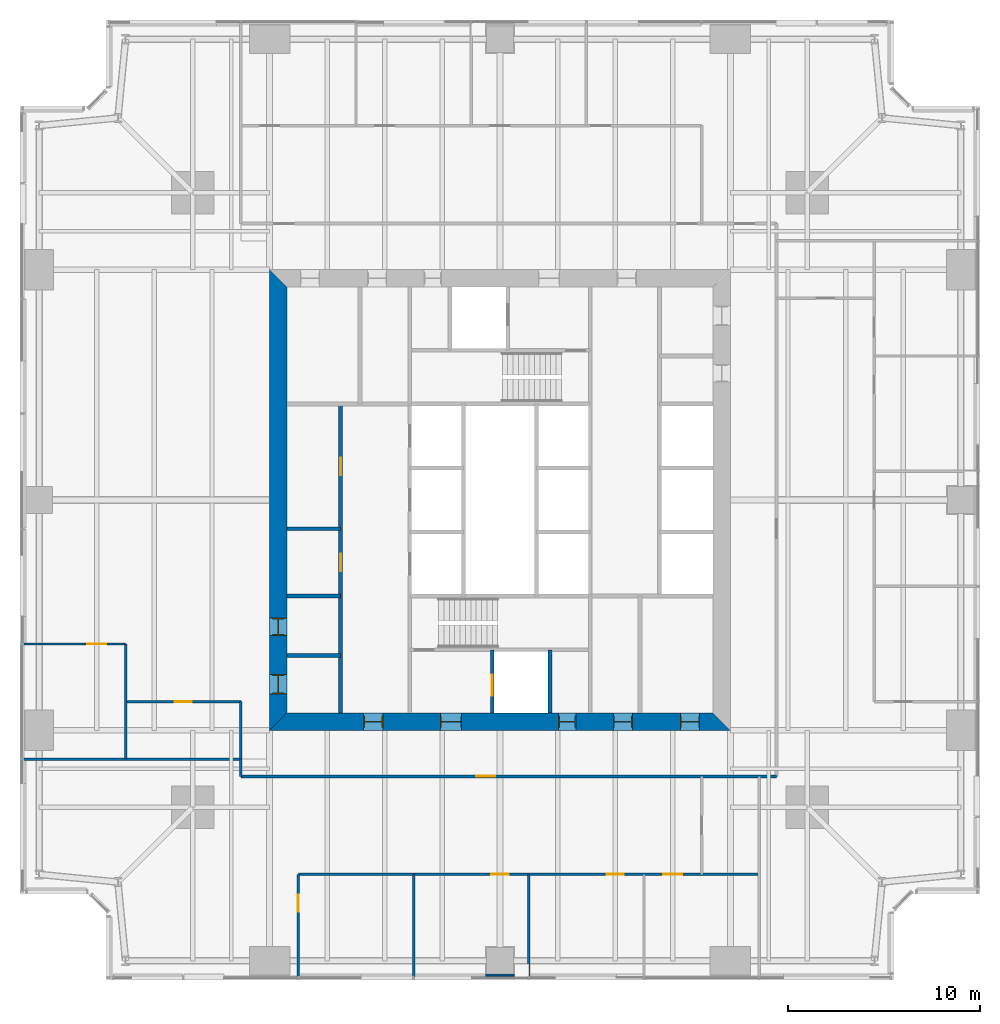
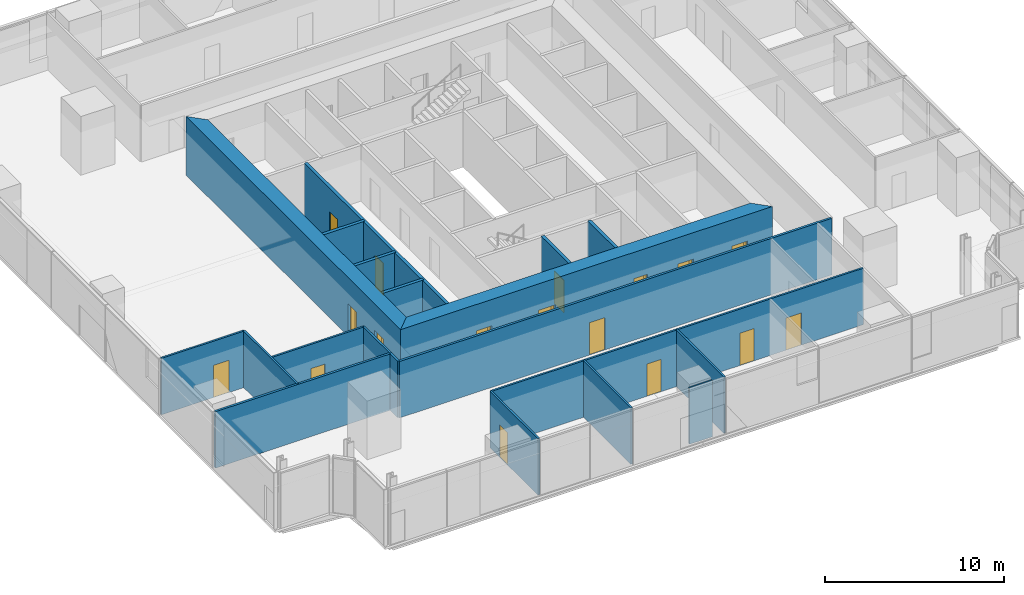
# One storey, part 9 of 13: 20 walls, 17 doors, 17 openings.
"""IFC4 building model written with IfcOpenShell, lengths in metres."""

from ifc_helpers import new_model, si_unit, direction, frame, frame_2d, origin, place, context, subcontext, project, spatial, polyline, rectangle, outline, extrude, material, layer, layer_set, type_object, element, fill, save


model = new_model("IFC4")

# Units and contexts
model_context = context("Model", 3, precision=1e-05, world=origin(), true_north=direction((0.0, 1.0)))
body_context = subcontext(model_context, "Body", "Model", "MODEL_VIEW")
ifc_project = project(units=[si_unit("LENGTHUNIT", "METRE"), si_unit("AREAUNIT", "SQUARE_METRE"), si_unit("VOLUMEUNIT", "CUBIC_METRE"), si_unit("PLANEANGLEUNIT", "RADIAN"), si_unit("MASSUNIT", "GRAM", prefix="KILO")], contexts=[model_context])

# Site, building, storey
site_placement = place(None, origin())
site = spatial("IfcSite", under=ifc_project, at=site_placement, CompositionType="ELEMENT")
building_placement = place(site_placement, origin())
building = spatial("IfcBuilding", under=site, at=building_placement, Name="Fenwick Lantern Interchange", CompositionType="ELEMENT")
storey_placement = place(building_placement, frame((0.0, 0.0, 106.39990234375)))
storey = spatial("IfcBuildingStorey", under=building, at=storey_placement, Name="L24", CompositionType="ELEMENT", Elevation=106.39990234375)

# Wall
ifc_material_1 = material(Name="Fire-rated gypsum board encasement on steel studs, 2 hour", Category="steel")
ifc_layer_1 = layer(ifc_material_1, 1.5)
ifc_layer_set_1 = layer_set([ifc_layer_1], Name="COLUMN PIER 1500")
wall_type_1 = type_object("IfcWallType", Name="COLUMN PIER 1500", PredefinedType="PARTITIONING", material=ifc_layer_set_1)
wall_1_placement = place(storey_placement, frame((25.0, 0.199951171875, 0.0), z_axis=(0.0, 0.0, 1.0), x_axis=(0.0, 1.0, 0.0)))
element("IfcWall", 1, at=wall_1_placement, inside=storey, type_object=wall_type_1, Name="L24/W/PIER/CS3", PredefinedType="PARTITIONING", context=body_context, shape_type="SweptSolid", body=[
    extrude(rectangle(XDim=0.10009765625, YDim=1.5, at=frame_2d((0.050048828125, 0.0))), origin(), (0.0, 0.0, 1.0), 3.85009765625),
])

# Wall, openings, doors
ifc_material_2 = material(Name="Concrete masonry ASTM C90 Grade N", Category="masonry")
ifc_layer_2 = layer(ifc_material_2, 0.199951171875)
ifc_layer_set_2 = layer_set([ifc_layer_2], Name="Concrete masonry ASTM C90 Grade N")
wall_type_2 = type_object("IfcWallType", Name="CORE PARTITION 200", PredefinedType="PARTITIONING", material=ifc_layer_set_2)
wall_2_placement = place(storey_placement, frame((16.699951171875, 13.89990234375, 0.0), z_axis=(0.0, 0.0, 1.0), x_axis=(0.0, 1.0, 0.0)))
wall_2 = element("IfcWall", 2, at=wall_2_placement, inside=storey, type_object=wall_type_2, Name="L24/W/CORES/a", PredefinedType="PARTITIONING", context=body_context, shape_type="SweptSolid", body=[
    extrude(rectangle(XDim=16.10009765625, YDim=0.199951171875, at=frame_2d((8.050048828125, 0.0))), origin(), (0.0, 0.0, 1.0), 3.800048828125),
])
opening_1_placement = place(wall_2_placement, frame((7.39990234375, 0.0, 0.0)))
opening_1 = element("IfcOpeningElement", 3, at=opening_1_placement, cuts=wall_2, Name="Opening L24-D009", PredefinedType="OPENING", context=body_context, shape_type="SweptSolid", body=[
    extrude(rectangle(XDim=0.89990234375, YDim=2.199951171875, at=frame_2d((0.449951171875, 1.10009765625))), frame((0.0, 0.10986328125, 0.0), z_axis=(0.0, -1.0, 0.0), x_axis=(1.0, 0.0, 0.0)), (0.0, 0.0, 1.0), 0.219970703125),
])
opening_2_placement = place(wall_2_placement, frame((12.39990234375, 0.0, 0.0)))
opening_2 = element("IfcOpeningElement", 4, at=opening_2_placement, cuts=wall_2, Name="Opening L24-D010", PredefinedType="OPENING", context=body_context, shape_type="SweptSolid", body=[
    extrude(rectangle(XDim=0.89990234375, YDim=2.199951171875, at=frame_2d((0.449951171875, 1.10009765625))), frame((0.0, 0.10986328125, 0.0), z_axis=(0.0, -1.0, 0.0), x_axis=(1.0, 0.0, 0.0)), (0.0, 0.0, 1.0), 0.219970703125),
])
ifc_material_3 = material(Name="Steel door and frame", Category="steel")
door_type_1 = type_object("IfcDoorType", Name="SERVICE DOOR 900 X 2200", OperationType="SINGLE_SWING_LEFT", PredefinedType="DOOR", material=ifc_material_3)
door_1_placement = place(opening_1_placement, origin())
door_1 = element("IfcDoor", 5, at=door_1_placement, inside=storey, type_object=door_type_1, Name="Service door", OperationType="SINGLE_SWING_LEFT", OverallHeight=2.199951171875, OverallWidth=0.89990234375, PredefinedType="DOOR", context=body_context, shape_type="SweptSolid", body=[
    extrude(rectangle(XDim=0.89990234375, YDim=2.199951171875, at=frame_2d((0.449951171875, 1.10009765625))), frame((0.0, 0.02490234375, 0.0), z_axis=(0.0, -1.0, 0.0), x_axis=(1.0, 0.0, 0.0)), (0.0, 0.0, 1.0), 0.050048828125),
])
fill(opening_1, door_1)
door_2_placement = place(opening_2_placement, origin())
door_2 = element("IfcDoor", 6, at=door_2_placement, inside=storey, type_object=door_type_1, Name="Service door", OperationType="SINGLE_SWING_LEFT", OverallHeight=2.199951171875, OverallWidth=0.89990234375, PredefinedType="DOOR", context=body_context, shape_type="SweptSolid", body=[
    extrude(rectangle(XDim=0.89990234375, YDim=2.199951171875, at=frame_2d((0.449951171875, 1.10009765625))), frame((0.0, 0.02490234375, 0.0), z_axis=(0.0, -1.0, 0.0), x_axis=(1.0, 0.0, 0.0)), (0.0, 0.0, 1.0), 0.050048828125),
])
fill(opening_2, door_2)

# Wall, opening, door
wall_3_placement = place(storey_placement, frame((24.60009765625, 13.89990234375, 0.0), z_axis=(0.0, 0.0, 1.0), x_axis=(0.0, 1.0, 0.0)))
wall_3 = element("IfcWall", 7, at=wall_3_placement, inside=storey, type_object=wall_type_2, Name="L24/W/CORES/h1", PredefinedType="PARTITIONING", context=body_context, shape_type="SweptSolid", body=[
    extrude(rectangle(XDim=3.300048828125, YDim=0.199951171875, at=frame_2d((1.64990234375, 0.0))), origin(), (0.0, 0.0, 1.0), 3.800048828125),
])
opening_3_placement = place(wall_3_placement, frame((0.89990234375, 0.0, 0.0)))
opening_3 = element("IfcOpeningElement", 8, at=opening_3_placement, cuts=wall_3, Name="Opening LD-FL1", PredefinedType="OPENING", context=body_context, shape_type="SweptSolid", body=[
    extrude(rectangle(XDim=1.10009765625, YDim=2.199951171875, at=frame_2d((0.550048828125, 1.10009765625))), frame((0.0, 0.10986328125, 0.0), z_axis=(0.0, -1.0, 0.0), x_axis=(1.0, 0.0, 0.0)), (0.0, 0.0, 1.0), 0.219970703125),
])
door_type_2 = type_object("IfcDoorType", Name="LIFT LANDING DOOR 1100 X 2200", OperationType="DOUBLE_DOOR_SLIDING", PredefinedType="DOOR", material=ifc_material_3)
door_3_placement = place(opening_3_placement, origin())
door_3 = element("IfcDoor", 9, at=door_3_placement, inside=storey, type_object=door_type_2, Name="Lift landing door FL1", OperationType="DOUBLE_DOOR_SLIDING", OverallHeight=2.199951171875, OverallWidth=1.10009765625, PredefinedType="DOOR", context=body_context, shape_type="SweptSolid", body=[
    extrude(rectangle(XDim=1.10009765625, YDim=2.199951171875, at=frame_2d((0.550048828125, 1.10009765625))), frame((0.0, 0.02490234375, 0.0), z_axis=(0.0, -1.0, 0.0), x_axis=(1.0, 0.0, 0.0)), (0.0, 0.0, 1.0), 0.050048828125),
])
fill(opening_3, door_3)

# Walls
wall_4_placement = place(storey_placement, frame((27.60009765625, 13.89990234375, 0.0), z_axis=(0.0, 0.0, 1.0), x_axis=(0.0, 1.0, 0.0)))
element("IfcWall", 10, at=wall_4_placement, inside=storey, type_object=wall_type_2, Name="L24/W/CORES/h2", PredefinedType="PARTITIONING", context=body_context, shape_type="SweptSolid", body=[
    extrude(rectangle(XDim=3.300048828125, YDim=0.199951171875, at=frame_2d((1.64990234375, 0.0))), origin(), (0.0, 0.0, 1.0), 3.800048828125),
])
for number, where, z_axis, x_axis, name in (
    (11, (13.89990234375, 16.89990234375, 0.0), (0.0, 0.0, 1.0), (1.0, 0.0, 0.0), "L24/W/CORES/p1"),
    (12, (13.89990234375, 20.0, 0.0), (0.0, 0.0, 1.0), (1.0, 0.0, 0.0), "L24/W/CORES/p2"),
    (13, (13.89990234375, 23.5, 0.0), (0.0, 0.0, 1.0), (1.0, 0.0, 0.0), "L24/W/CORES/p3"),
):
    element("IfcWall", number, at=place(storey_placement, frame(where, z_axis=z_axis, x_axis=x_axis)), inside=storey, type_object=wall_type_2, Name=name, PredefinedType="PARTITIONING", context=body_context, shape_type="SweptSolid", body=[
        extrude(rectangle(XDim=2.800048828125, YDim=0.199951171875, at=frame_2d((1.39990234375, 0.0))), origin(), (0.0, 0.0, 1.0), 3.800048828125),
    ])

# Wall, openings, doors
ifc_material_4 = material(Name="Concrete f'c 70 MPa", Category="concrete")
ifc_layer_3 = layer(ifc_material_4, 0.89990234375)
ifc_layer_set_3 = layer_set([ifc_layer_3], Name="CORE WALL 900")
wall_type_3 = type_object("IfcWallType", Name="CORE WALL 900", PredefinedType="SHEAR", material=ifc_layer_set_3)
wall_5_placement = place(storey_placement, frame((13.0, 13.449951171875, 0.0), z_axis=(0.0, 0.0, 1.0), x_axis=(1.0, 0.0, 0.0)))
wall_5 = element("IfcWall", 14, at=wall_5_placement, inside=storey, type_object=wall_type_3, Name="L24/CORE/S", PredefinedType="SHEAR", context=body_context, shape_type="SweptSolid", body=[
    extrude(outline(polyline([(0.0, -0.449951171875), (24.0, -0.449951171875), (23.10009765625, 0.449951171875), (0.89990234375, 0.449951171875), (0.0, -0.449951171875)])), origin(), (0.0, 0.0, 1.0), 4.0),
])
opening_4_placement = place(wall_5_placement, frame((4.89990234375, 0.0, 0.0)))
opening_4 = element("IfcOpeningElement", 15, at=opening_4_placement, cuts=wall_5, Name="Opening L24-D001", PredefinedType="OPENING", context=body_context, shape_type="SweptSolid", body=[
    extrude(rectangle(XDim=1.0, YDim=2.199951171875, at=frame_2d((0.5, 1.10009765625))), frame((0.0, 0.4599609375, 0.0), z_axis=(0.0, -1.0, 0.0), x_axis=(1.0, 0.0, 0.0)), (0.0, 0.0, 1.0), 0.919921875),
])
opening_5_placement = place(wall_5_placement, frame((8.89990234375, 0.0, 0.0)))
opening_5 = element("IfcOpeningElement", 16, at=opening_5_placement, cuts=wall_5, Name="Opening L24-D002", PredefinedType="OPENING", context=body_context, shape_type="SweptSolid", body=[
    extrude(rectangle(XDim=1.10009765625, YDim=2.199951171875, at=frame_2d((0.550048828125, 1.10009765625))), frame((0.0, 0.4599609375, 0.0), z_axis=(0.0, -1.0, 0.0), x_axis=(1.0, 0.0, 0.0)), (0.0, 0.0, 1.0), 0.919921875),
])
opening_6_placement = place(wall_5_placement, frame((15.050048828125, 0.0, 0.0)))
opening_6 = element("IfcOpeningElement", 17, at=opening_6_placement, cuts=wall_5, Name="Opening L24-D004", PredefinedType="OPENING", context=body_context, shape_type="SweptSolid", body=[
    extrude(rectangle(XDim=0.89990234375, YDim=2.199951171875, at=frame_2d((0.449951171875, 1.10009765625))), frame((0.0, 0.4599609375, 0.0), z_axis=(0.0, -1.0, 0.0), x_axis=(1.0, 0.0, 0.0)), (0.0, 0.0, 1.0), 0.919921875),
])
opening_7_placement = place(wall_5_placement, frame((17.89990234375, 0.0, 0.0)))
opening_7 = element("IfcOpeningElement", 18, at=opening_7_placement, cuts=wall_5, Name="Opening L24-D005", PredefinedType="OPENING", context=body_context, shape_type="SweptSolid", body=[
    extrude(rectangle(XDim=1.0, YDim=2.199951171875, at=frame_2d((0.5, 1.10009765625))), frame((0.0, 0.4599609375, 0.0), z_axis=(0.0, -1.0, 0.0), x_axis=(1.0, 0.0, 0.0)), (0.0, 0.0, 1.0), 0.919921875),
])
opening_8_placement = place(wall_5_placement, frame((21.39990234375, 0.0, 0.0)))
opening_8 = element("IfcOpeningElement", 19, at=opening_8_placement, cuts=wall_5, Name="Opening L24-D006", PredefinedType="OPENING", context=body_context, shape_type="SweptSolid", body=[
    extrude(rectangle(XDim=1.0, YDim=2.199951171875, at=frame_2d((0.5, 1.10009765625))), frame((0.0, 0.4599609375, 0.0), z_axis=(0.0, -1.0, 0.0), x_axis=(1.0, 0.0, 0.0)), (0.0, 0.0, 1.0), 0.919921875),
])
door_type_3 = type_object("IfcDoorType", Name="CORE LOBBY DOOR 1000 X 2200", OperationType="SINGLE_SWING_LEFT", PredefinedType="DOOR", material=ifc_material_3)
door_4_placement = place(opening_4_placement, origin())
door_4 = element("IfcDoor", 20, at=door_4_placement, inside=storey, type_object=door_type_3, Name="Core lobby door", OperationType="SINGLE_SWING_LEFT", OverallHeight=2.199951171875, OverallWidth=1.0, PredefinedType="DOOR", context=body_context, shape_type="SweptSolid", body=[
    extrude(rectangle(XDim=1.0, YDim=2.199951171875, at=frame_2d((0.5, 1.10009765625))), frame((0.0, 0.02490234375, 0.0), z_axis=(0.0, -1.0, 0.0), x_axis=(1.0, 0.0, 0.0)), (0.0, 0.0, 1.0), 0.050048828125),
    extrude(outline(polyline([(0.0, 0.0), (0.0400390625, 0.0), (0.0400390625, 2.159912109375), (0.9599609375, 2.159912109375), (0.9599609375, 0.0), (1.0, 0.0), (1.0, 2.199951171875), (0.0, 2.199951171875), (0.0, 0.0)])), frame((0.0, 0.300048828125, 0.0), z_axis=(0.0, -1.0, 0.0), x_axis=(1.0, 0.0, 0.0)), (0.0, 0.0, 1.0), 0.60009765625),
])
fill(opening_4, door_4)
door_type_4 = type_object("IfcDoorType", Name="FIRE LOBBY DOOR 1100 X 2200", OperationType="SINGLE_SWING_LEFT", PredefinedType="DOOR", material=ifc_material_3)
door_5_placement = place(opening_5_placement, origin())
door_5 = element("IfcDoor", 21, at=door_5_placement, inside=storey, type_object=door_type_4, Name="Fire lobby door", OperationType="SINGLE_SWING_LEFT", OverallHeight=2.199951171875, OverallWidth=1.10009765625, PredefinedType="DOOR", context=body_context, shape_type="SweptSolid", body=[
    extrude(rectangle(XDim=1.10009765625, YDim=2.199951171875, at=frame_2d((0.550048828125, 1.10009765625))), frame((0.0, 0.02490234375, 0.0), z_axis=(0.0, -1.0, 0.0), x_axis=(1.0, 0.0, 0.0)), (0.0, 0.0, 1.0), 0.050048828125),
    extrude(outline(polyline([(0.0, 0.0), (0.0400390625, 0.0), (0.0400390625, 2.159912109375), (1.06005859375, 2.159912109375), (1.06005859375, 0.0), (1.10009765625, 0.0), (1.10009765625, 2.199951171875), (0.0, 2.199951171875), (0.0, 0.0)])), frame((0.0, 0.300048828125, 0.0), z_axis=(0.0, -1.0, 0.0), x_axis=(1.0, 0.0, 0.0)), (0.0, 0.0, 1.0), 0.60009765625),
])
fill(opening_5, door_5)
door_6_placement = place(opening_6_placement, origin())
door_6 = element("IfcDoor", 22, at=door_6_placement, inside=storey, type_object=door_type_1, Name="Service door", OperationType="SINGLE_SWING_LEFT", OverallHeight=2.199951171875, OverallWidth=0.89990234375, PredefinedType="DOOR", context=body_context, shape_type="SweptSolid", body=[
    extrude(rectangle(XDim=0.89990234375, YDim=2.199951171875, at=frame_2d((0.449951171875, 1.10009765625))), frame((0.0, 0.02490234375, 0.0), z_axis=(0.0, -1.0, 0.0), x_axis=(1.0, 0.0, 0.0)), (0.0, 0.0, 1.0), 0.050048828125),
    extrude(outline(polyline([(0.0, 0.0), (0.0400390625, 0.0), (0.0400390625, 2.159912109375), (0.85986328125, 2.159912109375), (0.85986328125, 0.0), (0.89990234375, 0.0), (0.89990234375, 2.199951171875), (0.0, 2.199951171875), (0.0, 0.0)])), frame((0.0, 0.300048828125, 0.0), z_axis=(0.0, -1.0, 0.0), x_axis=(1.0, 0.0, 0.0)), (0.0, 0.0, 1.0), 0.60009765625),
])
fill(opening_6, door_6)
ifc_material_5 = material(Name="Hardwood door and steel frame", Category="steel")
door_type_5 = type_object("IfcDoorType", Name="WC DOOR 1000 X 2200", OperationType="SINGLE_SWING_LEFT", PredefinedType="DOOR", material=ifc_material_5)
door_7_placement = place(opening_7_placement, origin())
door_7 = element("IfcDoor", 23, at=door_7_placement, inside=storey, type_object=door_type_5, Name="Wc door", OperationType="SINGLE_SWING_RIGHT", OverallHeight=2.199951171875, OverallWidth=1.0, PredefinedType="DOOR", context=body_context, shape_type="SweptSolid", body=[
    extrude(rectangle(XDim=1.0, YDim=2.199951171875, at=frame_2d((0.5, 1.10009765625))), frame((0.0, 0.02490234375, 0.0), z_axis=(0.0, -1.0, 0.0), x_axis=(1.0, 0.0, 0.0)), (0.0, 0.0, 1.0), 0.050048828125),
    extrude(outline(polyline([(0.0, 0.0), (0.0400390625, 0.0), (0.0400390625, 2.159912109375), (0.9599609375, 2.159912109375), (0.9599609375, 0.0), (1.0, 0.0), (1.0, 2.199951171875), (0.0, 2.199951171875), (0.0, 0.0)])), frame((0.0, 0.300048828125, 0.0), z_axis=(0.0, -1.0, 0.0), x_axis=(1.0, 0.0, 0.0)), (0.0, 0.0, 1.0), 0.60009765625),
])
fill(opening_7, door_7)
door_8_placement = place(opening_8_placement, origin())
door_8 = element("IfcDoor", 24, at=door_8_placement, inside=storey, type_object=door_type_5, Name="Wc door", OperationType="SINGLE_SWING_RIGHT", OverallHeight=2.199951171875, OverallWidth=1.0, PredefinedType="DOOR", context=body_context, shape_type="SweptSolid", body=[
    extrude(rectangle(XDim=1.0, YDim=2.199951171875, at=frame_2d((0.5, 1.10009765625))), frame((0.0, 0.02490234375, 0.0), z_axis=(0.0, -1.0, 0.0), x_axis=(1.0, 0.0, 0.0)), (0.0, 0.0, 1.0), 0.050048828125),
    extrude(outline(polyline([(0.0, 0.0), (0.0400390625, 0.0), (0.0400390625, 2.159912109375), (0.9599609375, 2.159912109375), (0.9599609375, 0.0), (1.0, 0.0), (1.0, 2.199951171875), (0.0, 2.199951171875), (0.0, 0.0)])), frame((0.0, 0.300048828125, 0.0), z_axis=(0.0, -1.0, 0.0), x_axis=(1.0, 0.0, 0.0)), (0.0, 0.0, 1.0), 0.60009765625),
])
fill(opening_8, door_8)

wall_6_placement = place(storey_placement, frame((13.449951171875, 36.10009765625, 0.0), z_axis=(0.0, 0.0, 1.0), x_axis=(0.0, -1.0, 0.0)))
wall_6 = element("IfcWall", 25, at=wall_6_placement, inside=storey, type_object=wall_type_3, Name="L24/CORE/W", PredefinedType="SHEAR", context=body_context, shape_type="SweptSolid", body=[
    extrude(outline(polyline([(-0.89990234375, -0.449951171875), (23.10009765625, -0.449951171875), (22.199951171875, 0.449951171875), (0.0, 0.449951171875), (-0.89990234375, -0.449951171875)])), origin(), (0.0, 0.0, 1.0), 4.0),
])
opening_9_placement = place(wall_6_placement, frame((20.199951171875, 0.0, 0.0)))
opening_9 = element("IfcOpeningElement", 26, at=opening_9_placement, cuts=wall_6, Name="Opening L24-D007", PredefinedType="OPENING", context=body_context, shape_type="SweptSolid", body=[
    extrude(rectangle(XDim=1.0, YDim=2.199951171875, at=frame_2d((0.5, 1.10009765625))), frame((0.0, 0.4599609375, 0.0), z_axis=(0.0, -1.0, 0.0), x_axis=(1.0, 0.0, 0.0)), (0.0, 0.0, 1.0), 0.919921875),
])
opening_10_placement = place(wall_6_placement, frame((17.25, 0.0, 0.0)))
opening_10 = element("IfcOpeningElement", 27, at=opening_10_placement, cuts=wall_6, Name="Opening L24-D008", PredefinedType="OPENING", context=body_context, shape_type="SweptSolid", body=[
    extrude(rectangle(XDim=0.89990234375, YDim=2.199951171875, at=frame_2d((0.449951171875, 1.10009765625))), frame((0.0, 0.4599609375, 0.0), z_axis=(0.0, -1.0, 0.0), x_axis=(1.0, 0.0, 0.0)), (0.0, 0.0, 1.0), 0.919921875),
])
door_9_placement = place(opening_10_placement, origin())
door_9 = element("IfcDoor", 28, at=door_9_placement, inside=storey, type_object=door_type_1, Name="Service door", OperationType="SINGLE_SWING_RIGHT", OverallHeight=2.199951171875, OverallWidth=0.89990234375, PredefinedType="DOOR", context=body_context, shape_type="SweptSolid", body=[
    extrude(rectangle(XDim=0.89990234375, YDim=2.199951171875, at=frame_2d((0.449951171875, 1.10009765625))), frame((0.0, 0.02490234375, 0.0), z_axis=(0.0, -1.0, 0.0), x_axis=(1.0, 0.0, 0.0)), (0.0, 0.0, 1.0), 0.050048828125),
    extrude(outline(polyline([(0.0, 0.0), (0.0400390625, 0.0), (0.0400390625, 2.159912109375), (0.85986328125, 2.159912109375), (0.85986328125, 0.0), (0.89990234375, 0.0), (0.89990234375, 2.199951171875), (0.0, 2.199951171875), (0.0, 0.0)])), frame((0.0, 0.300048828125, 0.0), z_axis=(0.0, -1.0, 0.0), x_axis=(1.0, 0.0, 0.0)), (0.0, 0.0, 1.0), 0.60009765625),
])
fill(opening_10, door_9)
door_10_placement = place(opening_9_placement, origin())
door_10 = element("IfcDoor", 29, at=door_10_placement, inside=storey, type_object=door_type_5, Name="Wc door", OperationType="SINGLE_SWING_LEFT", OverallHeight=2.199951171875, OverallWidth=1.0, PredefinedType="DOOR", context=body_context, shape_type="SweptSolid", body=[
    extrude(rectangle(XDim=1.0, YDim=2.199951171875, at=frame_2d((0.5, 1.10009765625))), frame((0.0, 0.02490234375, 0.0), z_axis=(0.0, -1.0, 0.0), x_axis=(1.0, 0.0, 0.0)), (0.0, 0.0, 1.0), 0.050048828125),
    extrude(outline(polyline([(0.0, 0.0), (0.0400390625, 0.0), (0.0400390625, 2.159912109375), (0.9599609375, 2.159912109375), (0.9599609375, 0.0), (1.0, 0.0), (1.0, 2.199951171875), (0.0, 2.199951171875), (0.0, 0.0)])), frame((0.0, 0.300048828125, 0.0), z_axis=(0.0, -1.0, 0.0), x_axis=(1.0, 0.0, 0.0)), (0.0, 0.0, 1.0), 0.60009765625),
])
fill(opening_9, door_10)

# Wall
ifc_material_6 = material(Name="Gypsum board on steel studs, 1 hour", Category="steel")
ifc_layer_4 = layer(ifc_material_6, 0.14990234375)
ifc_layer_set_4 = layer_set([ifc_layer_4], Name="CORRIDOR WALL 150")
wall_type_4 = type_object("IfcWallType", Name="CORRIDOR WALL 150", PredefinedType="PARTITIONING", material=ifc_layer_set_4)
wall_7_placement = place(storey_placement, frame((11.5, 11.5, 0.0), z_axis=(0.0, 0.0, 1.0), x_axis=(0.0, -1.0, 0.0)))
element("IfcWall", 30, at=wall_7_placement, inside=storey, type_object=wall_type_4, Name="L24/W/OFF/S/CWJ", PredefinedType="PARTITIONING", context=body_context, shape_type="SweptSolid", body=[
    extrude(rectangle(XDim=0.89990234375, YDim=0.14990234375, at=frame_2d((0.449951171875, 0.0))), origin(), (0.0, 0.0, 1.0), 3.85009765625),
])

# Wall, opening, door
wall_8_placement = place(storey_placement, frame((11.5, 10.60009765625, 0.0), z_axis=(0.0, 0.0, 1.0), x_axis=(1.0, 0.0, 0.0)))
wall_8 = element("IfcWall", 31, at=wall_8_placement, inside=storey, type_object=wall_type_4, Name="L24/W/OFF/S/CW2", PredefinedType="PARTITIONING", context=body_context, shape_type="SweptSolid", body=[
    extrude(rectangle(XDim=27.89990234375, YDim=0.14990234375, at=frame_2d((13.949951171875, 0.0))), origin(), (0.0, 0.0, 1.0), 3.85009765625),
])
opening_11_placement = place(wall_8_placement, frame((12.25, 0.0, 0.0)))
opening_11 = element("IfcOpeningElement", 32, at=opening_11_placement, cuts=wall_8, Name="Opening L24-D019", PredefinedType="OPENING", context=body_context, shape_type="SweptSolid", body=[
    extrude(rectangle(XDim=1.0, YDim=2.199951171875, at=frame_2d((0.5, 1.10009765625))), frame((0.0, 0.0849609375, 0.0), z_axis=(0.0, -1.0, 0.0), x_axis=(1.0, 0.0, 0.0)), (0.0, 0.0, 1.0), 0.169921875),
])
door_type_6 = type_object("IfcDoorType", Name="SUITE ENTRANCE DOOR 1000 X 2200", OperationType="SINGLE_SWING_LEFT", PredefinedType="DOOR", material=ifc_material_3)
door_11_placement = place(opening_11_placement, frame((1.0, 0.0, 0.0), z_axis=(0.0, 0.0, 1.0), x_axis=(-1.0, 0.0, 0.0)))
door_11 = element("IfcDoor", 33, at=door_11_placement, inside=storey, type_object=door_type_6, Name="Suite entrance door", OperationType="SINGLE_SWING_LEFT", OverallHeight=2.199951171875, OverallWidth=1.0, PredefinedType="DOOR", context=body_context, shape_type="SweptSolid", body=[
    extrude(rectangle(XDim=1.0, YDim=2.199951171875, at=frame_2d((0.5, 1.10009765625))), frame((0.0, 0.02490234375, 0.0), z_axis=(0.0, -1.0, 0.0), x_axis=(1.0, 0.0, 0.0)), (0.0, 0.0, 1.0), 0.050048828125),
])
fill(opening_11, door_11)

ifc_material_7 = material(Name="Gypsum board on steel studs, acoustic", Category="steel")
ifc_layer_5 = layer(ifc_material_7, 0.125)
ifc_layer_set_5 = layer_set([ifc_layer_5], Name="OFFICE PARTITION 125")
wall_type_5 = type_object("IfcWallType", Name="OFFICE PARTITION 125", PredefinedType="PARTITIONING", material=ifc_layer_set_5)
wall_9_placement = place(storey_placement, frame((14.5, 0.14990234375, 0.0), z_axis=(0.0, 0.0, 1.0), x_axis=(0.0, 1.0, 0.0)))
wall_9 = element("IfcWall", 34, at=wall_9_placement, inside=storey, type_object=wall_type_5, Name="L24/W/OFF/S/X145-1", PredefinedType="PARTITIONING", context=body_context, shape_type="SweptSolid", body=[
    extrude(rectangle(XDim=5.35009765625, YDim=0.125, at=frame_2d((2.675048828125, 0.0))), origin(), (0.0, 0.0, 1.0), 3.85009765625),
])
opening_12_placement = place(wall_9_placement, frame((3.39990234375, 0.0, 0.0)))
opening_12 = element("IfcOpeningElement", 35, at=opening_12_placement, cuts=wall_9, Name="Opening L24-D020", PredefinedType="OPENING", context=body_context, shape_type="SweptSolid", body=[
    extrude(rectangle(XDim=0.89990234375, YDim=2.199951171875, at=frame_2d((0.449951171875, 1.10009765625))), frame((0.0, 0.072509765625, 0.0), z_axis=(0.0, -1.0, 0.0), x_axis=(1.0, 0.0, 0.0)), (0.0, 0.0, 1.0), 0.14501953125),
])
door_type_7 = type_object("IfcDoorType", Name="OFFICE DOOR 900 X 2200", OperationType="SINGLE_SWING_LEFT", PredefinedType="DOOR", material=ifc_material_5)
door_12_placement = place(opening_12_placement, frame((0.89990234375, 0.0, 0.0), z_axis=(0.0, 0.0, 1.0), x_axis=(-1.0, 0.0, 0.0)))
door_12 = element("IfcDoor", 36, at=door_12_placement, inside=storey, type_object=door_type_7, Name="Office door", OperationType="SINGLE_SWING_LEFT", OverallHeight=2.199951171875, OverallWidth=0.89990234375, PredefinedType="DOOR", context=body_context, shape_type="SweptSolid", body=[
    extrude(rectangle(XDim=0.89990234375, YDim=2.199951171875, at=frame_2d((0.449951171875, 1.10009765625))), frame((0.0, 0.02490234375, 0.0), z_axis=(0.0, -1.0, 0.0), x_axis=(1.0, 0.0, 0.0)), (0.0, 0.0, 1.0), 0.050048828125),
])
fill(opening_12, door_12)

# Walls
for number, where, z_axis, x_axis, name in (
    (37, (20.5, 0.14990234375, 0.0), (0.0, 0.0, 1.0), (0.0, 1.0, 0.0), "L24/W/OFF/S/X205-1"),
    (38, (26.5, 0.14990234375, 0.0), (0.0, 0.0, 1.0), (0.0, 1.0, 0.0), "L24/W/OFF/S/X265-1"),
):
    element("IfcWall", number, at=place(storey_placement, frame(where, z_axis=z_axis, x_axis=x_axis)), inside=storey, type_object=wall_type_5, Name=name, PredefinedType="PARTITIONING", context=body_context, shape_type="SweptSolid", body=[
        extrude(rectangle(XDim=5.35009765625, YDim=0.125, at=frame_2d((2.675048828125, 0.0))), origin(), (0.0, 0.0, 1.0), 3.85009765625),
    ])

# Wall, openings, doors
wall_10_placement = place(storey_placement, frame((14.5, 5.5, 0.0), z_axis=(0.0, 0.0, 1.0), x_axis=(1.0, 0.0, 0.0)))
wall_10 = element("IfcWall", 39, at=wall_10_placement, inside=storey, type_object=wall_type_5, Name="L24/W/OFF/S/Y55-1", PredefinedType="PARTITIONING", context=body_context, shape_type="SweptSolid", body=[
    extrude(rectangle(XDim=24.0, YDim=0.125, at=frame_2d((12.0, 0.0))), origin(), (0.0, 0.0, 1.0), 3.85009765625),
])
opening_13_placement = place(wall_10_placement, frame((10.050048828125, 0.0, 0.0)))
opening_13 = element("IfcOpeningElement", 40, at=opening_13_placement, cuts=wall_10, Name="Opening L24-D021", PredefinedType="OPENING", context=body_context, shape_type="SweptSolid", body=[
    extrude(rectangle(XDim=0.89990234375, YDim=2.199951171875, at=frame_2d((0.449951171875, 1.10009765625))), frame((0.0, 0.072509765625, 0.0), z_axis=(0.0, -1.0, 0.0), x_axis=(1.0, 0.0, 0.0)), (0.0, 0.0, 1.0), 0.14501953125),
])
opening_14_placement = place(wall_10_placement, frame((16.050048828125, 0.0, 0.0)))
opening_14 = element("IfcOpeningElement", 41, at=opening_14_placement, cuts=wall_10, Name="Opening L24-D022", PredefinedType="OPENING", context=body_context, shape_type="SweptSolid", body=[
    extrude(rectangle(XDim=0.89990234375, YDim=2.199951171875, at=frame_2d((0.449951171875, 1.10009765625))), frame((0.0, 0.072509765625, 0.0), z_axis=(0.0, -1.0, 0.0), x_axis=(1.0, 0.0, 0.0)), (0.0, 0.0, 1.0), 0.14501953125),
])
opening_15_placement = place(wall_10_placement, frame((19.0, 0.0, 0.0)))
opening_15 = element("IfcOpeningElement", 42, at=opening_15_placement, cuts=wall_10, Name="Opening L24-D023", PredefinedType="OPENING", context=body_context, shape_type="SweptSolid", body=[
    extrude(rectangle(XDim=1.0, YDim=2.199951171875, at=frame_2d((0.5, 1.10009765625))), frame((0.0, 0.072509765625, 0.0), z_axis=(0.0, -1.0, 0.0), x_axis=(1.0, 0.0, 0.0)), (0.0, 0.0, 1.0), 0.14501953125),
])
door_type_8 = type_object("IfcDoorType", Name="MEETING ROOM DOOR 1000 X 2200", OperationType="SINGLE_SWING_LEFT", PredefinedType="DOOR", material=ifc_material_5)
door_13_placement = place(opening_15_placement, frame((1.0, 0.0, 0.0), z_axis=(0.0, 0.0, 1.0), x_axis=(-1.0, 0.0, 0.0)))
door_13 = element("IfcDoor", 43, at=door_13_placement, inside=storey, type_object=door_type_8, Name="Meeting room door", OperationType="SINGLE_SWING_RIGHT", OverallHeight=2.199951171875, OverallWidth=1.0, PredefinedType="DOOR", context=body_context, shape_type="SweptSolid", body=[
    extrude(rectangle(XDim=1.0, YDim=2.199951171875, at=frame_2d((0.5, 1.10009765625))), frame((0.0, 0.02490234375, 0.0), z_axis=(0.0, -1.0, 0.0), x_axis=(1.0, 0.0, 0.0)), (0.0, 0.0, 1.0), 0.050048828125),
])
fill(opening_15, door_13)
door_14_placement = place(opening_13_placement, frame((0.89990234375, 0.0, 0.0), z_axis=(0.0, 0.0, 1.0), x_axis=(-1.0, 0.0, 0.0)))
door_14 = element("IfcDoor", 44, at=door_14_placement, inside=storey, type_object=door_type_7, Name="Office door", OperationType="SINGLE_SWING_LEFT", OverallHeight=2.199951171875, OverallWidth=0.89990234375, PredefinedType="DOOR", context=body_context, shape_type="SweptSolid", body=[
    extrude(rectangle(XDim=0.89990234375, YDim=2.199951171875, at=frame_2d((0.449951171875, 1.10009765625))), frame((0.0, 0.02490234375, 0.0), z_axis=(0.0, -1.0, 0.0), x_axis=(1.0, 0.0, 0.0)), (0.0, 0.0, 1.0), 0.050048828125),
])
fill(opening_13, door_14)
door_15_placement = place(opening_14_placement, frame((0.89990234375, 0.0, 0.0), z_axis=(0.0, 0.0, 1.0), x_axis=(-1.0, 0.0, 0.0)))
door_15 = element("IfcDoor", 45, at=door_15_placement, inside=storey, type_object=door_type_7, Name="Office door", OperationType="SINGLE_SWING_LEFT", OverallHeight=2.199951171875, OverallWidth=0.89990234375, PredefinedType="DOOR", context=body_context, shape_type="SweptSolid", body=[
    extrude(rectangle(XDim=0.89990234375, YDim=2.199951171875, at=frame_2d((0.449951171875, 1.10009765625))), frame((0.0, 0.02490234375, 0.0), z_axis=(0.0, -1.0, 0.0), x_axis=(1.0, 0.0, 0.0)), (0.0, 0.0, 1.0), 0.050048828125),
])
fill(opening_14, door_15)

# Wall, opening, door
wall_11_placement = place(storey_placement, frame((0.14990234375, 17.5, 0.0), z_axis=(0.0, 0.0, 1.0), x_axis=(1.0, 0.0, 0.0)))
wall_11 = element("IfcWall", 46, at=wall_11_placement, inside=storey, type_object=wall_type_5, Name="L24/W/OFF/W/X325-1", PredefinedType="PARTITIONING", context=body_context, shape_type="SweptSolid", body=[
    extrude(rectangle(XDim=5.35009765625, YDim=0.125, at=frame_2d((2.675048828125, 0.0))), origin(), (0.0, 0.0, 1.0), 3.85009765625),
])
opening_16_placement = place(wall_11_placement, frame((3.35009765625, 0.0, 0.0)))
opening_16 = element("IfcOpeningElement", 47, at=opening_16_placement, cuts=wall_11, Name="Opening L24-D038", PredefinedType="OPENING", context=body_context, shape_type="SweptSolid", body=[
    extrude(rectangle(XDim=1.0, YDim=2.199951171875, at=frame_2d((0.5, 1.10009765625))), frame((0.0, 0.072509765625, 0.0), z_axis=(0.0, -1.0, 0.0), x_axis=(1.0, 0.0, 0.0)), (0.0, 0.0, 1.0), 0.14501953125),
])
door_16_placement = place(opening_16_placement, frame((1.0, 0.0, 0.0), z_axis=(0.0, 0.0, 1.0), x_axis=(-1.0, 0.0, 0.0)))
door_16 = element("IfcDoor", 48, at=door_16_placement, inside=storey, type_object=door_type_8, Name="Meeting room door", OperationType="SINGLE_SWING_LEFT", OverallHeight=2.199951171875, OverallWidth=1.0, PredefinedType="DOOR", context=body_context, shape_type="SweptSolid", body=[
    extrude(rectangle(XDim=1.0, YDim=2.199951171875, at=frame_2d((0.5, 1.10009765625))), frame((0.0, 0.02490234375, 0.0), z_axis=(0.0, -1.0, 0.0), x_axis=(1.0, 0.0, 0.0)), (0.0, 0.0, 1.0), 0.050048828125),
])
fill(opening_16, door_16)

wall_12_placement = place(storey_placement, frame((5.5, 14.5, 0.0), z_axis=(0.0, 0.0, 1.0), x_axis=(1.0, 0.0, 0.0)))
wall_12 = element("IfcWall", 49, at=wall_12_placement, inside=storey, type_object=wall_type_5, Name="L24/W/OFF/W/X355-1", PredefinedType="PARTITIONING", context=body_context, shape_type="SweptSolid", body=[
    extrude(rectangle(XDim=6.0, YDim=0.125, at=frame_2d((3.0, 0.0))), origin(), (0.0, 0.0, 1.0), 3.85009765625),
])
opening_17_placement = place(wall_12_placement, frame((2.550048828125, 0.0, 0.0)))
opening_17 = element("IfcOpeningElement", 50, at=opening_17_placement, cuts=wall_12, Name="Opening L24-D039", PredefinedType="OPENING", context=body_context, shape_type="SweptSolid", body=[
    extrude(rectangle(XDim=0.89990234375, YDim=2.199951171875, at=frame_2d((0.449951171875, 1.10009765625))), frame((0.0, 0.072509765625, 0.0), z_axis=(0.0, -1.0, 0.0), x_axis=(1.0, 0.0, 0.0)), (0.0, 0.0, 1.0), 0.14501953125),
])
door_17_placement = place(opening_17_placement, frame((0.89990234375, 0.0, 0.0), z_axis=(0.0, 0.0, 1.0), x_axis=(-1.0, 0.0, 0.0)))
door_17 = element("IfcDoor", 51, at=door_17_placement, inside=storey, type_object=door_type_7, Name="Office door", OperationType="SINGLE_SWING_RIGHT", OverallHeight=2.199951171875, OverallWidth=0.89990234375, PredefinedType="DOOR", context=body_context, shape_type="SweptSolid", body=[
    extrude(rectangle(XDim=0.89990234375, YDim=2.199951171875, at=frame_2d((0.449951171875, 1.10009765625))), frame((0.0, 0.02490234375, 0.0), z_axis=(0.0, -1.0, 0.0), x_axis=(1.0, 0.0, 0.0)), (0.0, 0.0, 1.0), 0.050048828125),
])
fill(opening_17, door_17)

# Walls
wall_13_placement = place(storey_placement, frame((5.5, 17.5, 0.0), z_axis=(0.0, 0.0, 1.0), x_axis=(0.0, -1.0, 0.0)))
element("IfcWall", 52, at=wall_13_placement, inside=storey, type_object=wall_type_5, Name="L24/W/OFF/W/Y55-1", PredefinedType="PARTITIONING", context=body_context, shape_type="SweptSolid", body=[
    extrude(rectangle(XDim=6.0, YDim=0.125, at=frame_2d((3.0, 0.0))), origin(), (0.0, 0.0, 1.0), 3.85009765625),
])
wall_14_placement = place(storey_placement, frame((11.5, 14.5, 0.0), z_axis=(0.0, 0.0, 1.0), x_axis=(0.0, -1.0, 0.0)))
element("IfcWall", 53, at=wall_14_placement, inside=storey, type_object=wall_type_5, Name="L24/W/OFF/W/CWS1", PredefinedType="PARTITIONING", context=body_context, shape_type="SweptSolid", body=[
    extrude(rectangle(XDim=3.0, YDim=0.125, at=frame_2d((1.5, 0.0))), origin(), (0.0, 0.0, 1.0), 3.85009765625),
])
ifc_material_8 = material(Name="Gypsum board on steel studs, 1 hour acoustic", Category="steel")
ifc_layer_6 = layer(ifc_material_8, 0.14990234375)
ifc_layer_set_6 = layer_set([ifc_layer_6], Name="TENANT WALL 150")
wall_type_6 = type_object("IfcWallType", Name="TENANT WALL 150", PredefinedType="PARTITIONING", material=ifc_layer_set_6)
wall_15_placement = place(storey_placement, frame((0.14990234375, 11.5, 0.0), z_axis=(0.0, 0.0, 1.0), x_axis=(1.0, 0.0, 0.0)))
element("IfcWall", 54, at=wall_15_placement, inside=storey, type_object=wall_type_6, Name="L24/W/OFF/S/BACK", PredefinedType="PARTITIONING", context=body_context, shape_type="SweptSolid", body=[
    extrude(rectangle(XDim=11.35009765625, YDim=0.14990234375, at=frame_2d((5.675048828125, 0.0))), origin(), (0.0, 0.0, 1.0), 3.85009765625),
])

save(model, "model.ifc")
